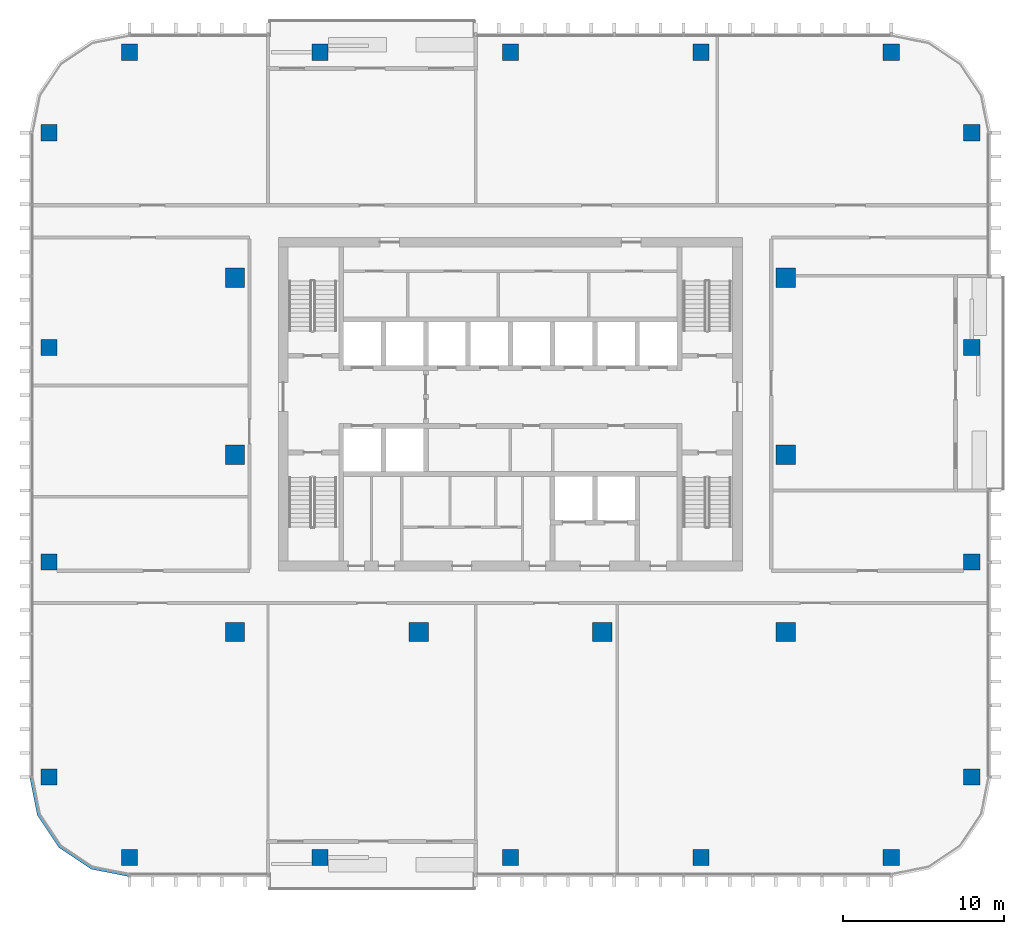
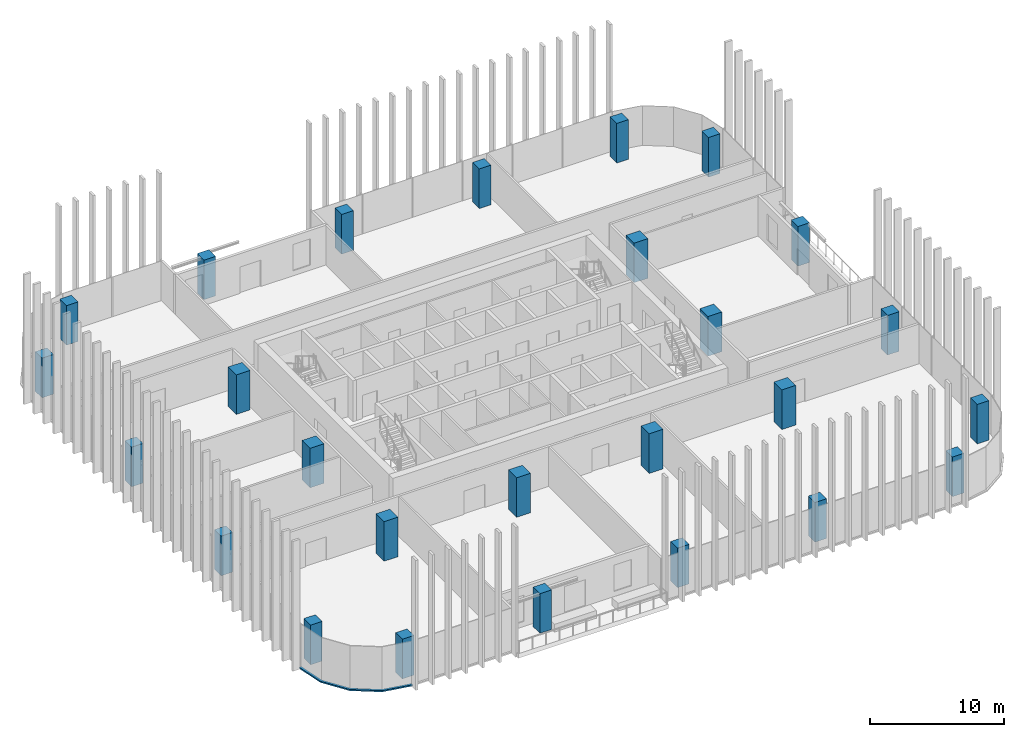
# One storey, part 1 of 16: 26 columns, 1 member, 1 element without a shape of its own.
"""IFC4 building model written with IfcOpenShell, lengths in metres."""

from ifc_helpers import new_model, si_unit, direction, frame, origin, origin_2d, place, context, subcontext, project, spatial, polyline, rectangle, outline, extrude, material, material_profile, profile_set, type_object, element, aggregate, save


model = new_model("IFC4")

# Units and contexts
model_context = context("Model", 3, precision=1e-05, world=origin(), true_north=direction((0.0, 1.0)))
body_context = subcontext(model_context, "Body", "Model", "MODEL_VIEW")
ifc_project = project(units=[si_unit("LENGTHUNIT", "METRE"), si_unit("AREAUNIT", "SQUARE_METRE"), si_unit("VOLUMEUNIT", "CUBIC_METRE"), si_unit("PLANEANGLEUNIT", "RADIAN"), si_unit("MASSUNIT", "GRAM", prefix="KILO")], contexts=[model_context])

# Site, building, storey
site_placement = place(None, origin())
site = spatial("IfcSite", under=ifc_project, at=site_placement, CompositionType="ELEMENT")
building_placement = place(site_placement, origin())
building = spatial("IfcBuilding", under=site, at=building_placement, Name="Mopane Tessera Tower", CompositionType="ELEMENT")
storey_placement = place(building_placement, frame((0.0, 0.0, 303.39990234375)))
storey = spatial("IfcBuildingStorey", under=building, at=storey_placement, Name="L66", CompositionType="ELEMENT", Elevation=303.39990234375)

# Columns
ifc_material_1 = material(Name="Concrete C40/50", Category="concrete")
ifc_material_profile_1 = material_profile(ifc_material_1, rectangle(XDim=1.199951171875, YDim=1.199951171875, at=origin_2d()))
ifc_profile_set_1 = profile_set([ifc_material_profile_1], Name="Concrete C40/50")
column_type_1 = type_object("IfcColumnType", Name="Interior column 1200 x 1200 C40/50", PredefinedType="COLUMN", material=ifc_profile_set_1)
for number, where, z_axis, x_axis, name in (
    (1, (-17.10009765625, -11.0, 0.0), (0.0, 0.0, 1.0), (1.0, 0.0, 0.0), "Interior column I1A L66"),
    (2, (-17.10009765625, 0.0, 0.0), (0.0, 0.0, 1.0), (1.0, 0.0, 0.0), "Interior column I1B L66"),
    (3, (-17.10009765625, 11.0, 0.0), (0.0, 0.0, 1.0), (1.0, 0.0, 0.0), "Interior column I1C L66"),
    (4, (-5.699951171875, -11.0, 0.0), (0.0, 0.0, 1.0), (1.0, 0.0, 0.0), "Interior column I2A L66"),
    (5, (5.699951171875, -11.0, 0.0), (0.0, 0.0, 1.0), (1.0, 0.0, 0.0), "Interior column I3A L66"),
    (6, (17.10009765625, -11.0, 0.0), (0.0, 0.0, 1.0), (1.0, 0.0, 0.0), "Interior column I4A L66"),
    (7, (17.10009765625, 0.0, 0.0), (0.0, 0.0, 1.0), (1.0, 0.0, 0.0), "Interior column I4B L66"),
    (8, (17.10009765625, 11.0, 0.0), (0.0, 0.0, 1.0), (1.0, 0.0, 0.0), "Interior column I4C L66"),
):
    element("IfcColumn", number, at=place(storey_placement, frame(where, z_axis=z_axis, x_axis=x_axis)), inside=storey, type_object=column_type_1, Name=name, PredefinedType="COLUMN", context=body_context, shape_type="SweptSolid", body=[
        extrude(rectangle(XDim=1.199951171875, YDim=1.199951171875, at=origin_2d()), origin(), (0.0, 0.0, 1.0), 3.60009765625),
    ])
ifc_material_2 = material(Name="Concrete C40/50", Category="concrete")
ifc_material_profile_2 = material_profile(ifc_material_2, rectangle(XDim=1.0, YDim=1.0, at=origin_2d()))
ifc_profile_set_2 = profile_set([ifc_material_profile_2], Name="Concrete C40/50")
column_type_2 = type_object("IfcColumnType", Name="Ring column 1000 x 1000 C40/50", PredefinedType="COLUMN", material=ifc_profile_set_2)
for number, where, z_axis, x_axis, name in (
    (9, (-23.64990234375, -25.0, 0.0), (0.0, 0.0, 1.0), (1.0, 0.0, 0.0), "Ring column S0 L66"),
    (10, (-11.824951171875, -25.0, 0.0), (0.0, 0.0, 1.0), (1.0, 0.0, 0.0), "Ring column S1 L66"),
    (11, (0.0, -25.0, 0.0), (0.0, 0.0, 1.0), (1.0, 0.0, 0.0), "Ring column S2 L66"),
    (12, (11.824951171875, -25.0, 0.0), (0.0, 0.0, 1.0), (1.0, 0.0, 0.0), "Ring column S3 L66"),
    (13, (23.64990234375, -25.0, 0.0), (0.0, 0.0, 1.0), (1.0, 0.0, 0.0), "Ring column S4 L66"),
    (14, (28.64990234375, -20.0, 0.0), (0.0, 0.0, 1.0), (1.0, 0.0, 0.0), "Ring column E0 L66"),
    (15, (28.64990234375, -6.666748046875, 0.0), (0.0, 0.0, 1.0), (1.0, 0.0, 0.0), "Ring column E1 L66"),
    (16, (28.64990234375, 6.666748046875, 0.0), (0.0, 0.0, 1.0), (1.0, 0.0, 0.0), "Ring column E2 L66"),
    (17, (28.64990234375, 20.0, 0.0), (0.0, 0.0, 1.0), (1.0, 0.0, 0.0), "Ring column E3 L66"),
    (18, (23.64990234375, 25.0, 0.0), (0.0, 0.0, 1.0), (1.0, 0.0, 0.0), "Ring column N0 L66"),
    (19, (11.824951171875, 25.0, 0.0), (0.0, 0.0, 1.0), (1.0, 0.0, 0.0), "Ring column N1 L66"),
    (20, (0.0, 25.0, 0.0), (0.0, 0.0, 1.0), (1.0, 0.0, 0.0), "Ring column N2 L66"),
    (21, (-11.824951171875, 25.0, 0.0), (0.0, 0.0, 1.0), (1.0, 0.0, 0.0), "Ring column N3 L66"),
    (22, (-23.64990234375, 25.0, 0.0), (0.0, 0.0, 1.0), (1.0, 0.0, 0.0), "Ring column N4 L66"),
    (23, (-28.64990234375, 20.0, 0.0), (0.0, 0.0, 1.0), (1.0, 0.0, 0.0), "Ring column W0 L66"),
    (24, (-28.64990234375, 6.666748046875, 0.0), (0.0, 0.0, 1.0), (1.0, 0.0, 0.0), "Ring column W1 L66"),
    (25, (-28.64990234375, -6.666748046875, 0.0), (0.0, 0.0, 1.0), (1.0, 0.0, 0.0), "Ring column W2 L66"),
    (26, (-28.64990234375, -20.0, 0.0), (0.0, 0.0, 1.0), (1.0, 0.0, 0.0), "Ring column W3 L66"),
):
    element("IfcColumn", number, at=place(storey_placement, frame(where, z_axis=z_axis, x_axis=x_axis)), inside=storey, type_object=column_type_2, Name=name, PredefinedType="COLUMN", context=body_context, shape_type="SweptSolid", body=[
        extrude(rectangle(XDim=1.0, YDim=1.0, at=origin_2d()), origin(), (0.0, 0.0, 1.0), 3.60009765625),
    ])

# Curtain wall, member
ifc_material_3 = material(Name="Aluminium frame", Category="aluminium")
curtain_wall_type = type_object("IfcCurtainWallType", Name="Unitised curtain wall", PredefinedType="NOTDEFINED", material=ifc_material_3)
curtain_wall_placement = place(storey_placement, origin())
curtain_wall = element("IfcCurtainWall", 27, at=curtain_wall_placement, inside=storey, type_object=curtain_wall_type, Name="e:cw:L66:CW", PredefinedType="NOTDEFINED")
ifc_material_4 = material(Name="Aluminium frame", Category="aluminium")
ifc_material_profile_3 = material_profile(ifc_material_4, rectangle(XDim=0.199951171875, YDim=0.1201171875, at=origin_2d()))
ifc_profile_set_3 = profile_set([ifc_material_profile_3], Name="Aluminium frame")
member_type = type_object("IfcMemberType", Name="Aluminium transom 200 x 120", PredefinedType="USERDEFINED", material=ifc_profile_set_3)
member_placement = place(storey_placement, frame((0.0, 0.0, -0.39990234375)))
member = element("IfcMember", 28, at=member_placement, type_object=member_type, Name="e:cw:L66:CW:tr", ObjectType="TRANSOM", PredefinedType="USERDEFINED", context=body_context, shape_type="SweptSolid", body=[
    extrude(outline(polyline([(-29.64990234375, -20.0), (-29.193359375, -22.296142578125), (-27.892578125, -24.24267578125), (-25.946044921875, -25.543212890625), (-23.64990234375, -26.0), (-23.64990234375, -26.199951171875), (-26.022705078125, -25.72802734375), (-28.0341796875, -24.384033203125), (-29.378173828125, -22.37255859375), (-29.85009765625, -20.0), (-29.64990234375, -20.0)])), origin(), (0.0, 0.0, 1.0), 0.1201171875),
])
aggregate(curtain_wall, [member])

save(model, "model.ifc")
